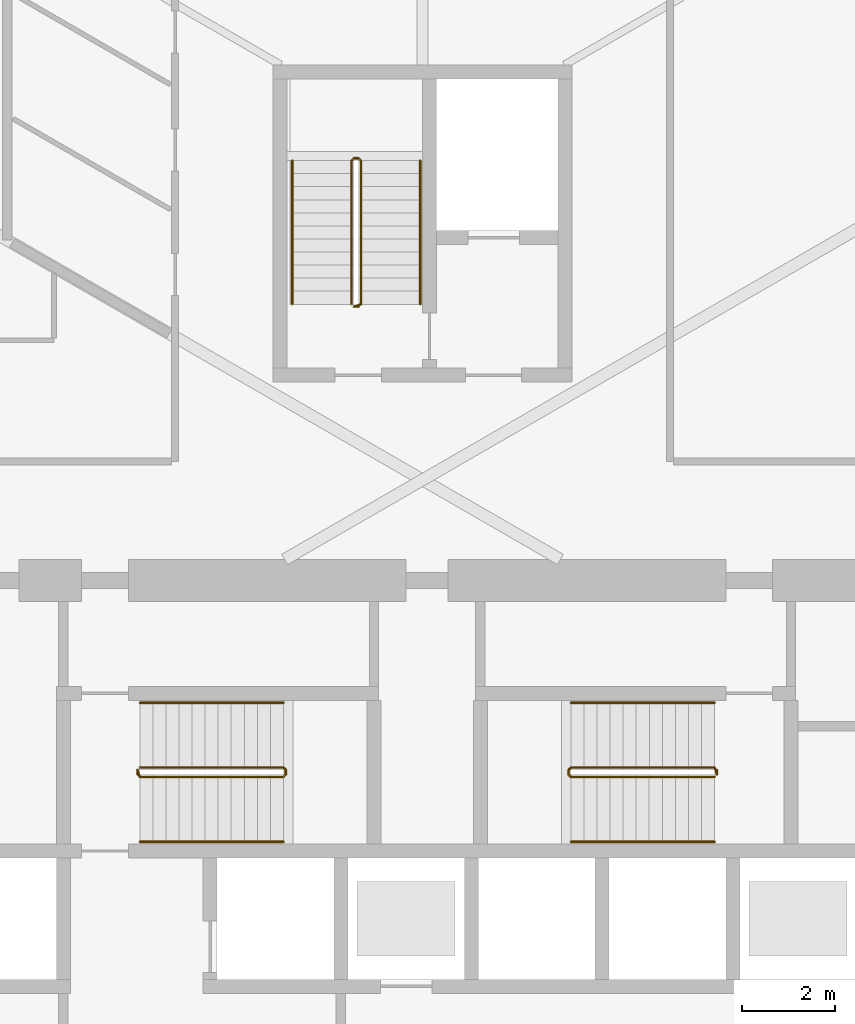
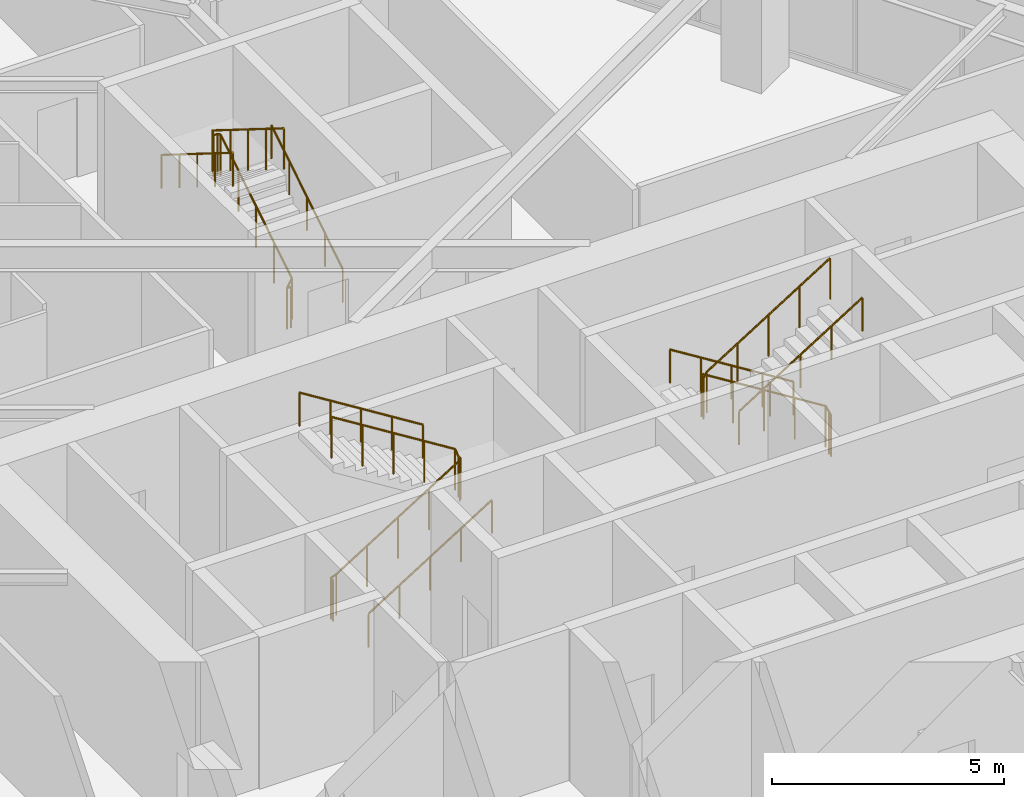
# One storey, part 21 of 22: 9 railings.
"""IFC4 building model written with IfcOpenShell, lengths in metres."""

from ifc_helpers import new_model, si_unit, direction, frame, origin, origin_2d, place, context, subcontext, project, spatial, circle, extrude, material, type_object, element, save


model = new_model("IFC4")

# Units and contexts
model_context = context("Model", 3, precision=1e-05, world=origin(), true_north=direction((0.0, 1.0)))
body_context = subcontext(model_context, "Body", "Model", "MODEL_VIEW")
ifc_project = project(units=[si_unit("LENGTHUNIT", "METRE"), si_unit("AREAUNIT", "SQUARE_METRE"), si_unit("VOLUMEUNIT", "CUBIC_METRE"), si_unit("PLANEANGLEUNIT", "RADIAN"), si_unit("MASSUNIT", "GRAM", prefix="KILO")], contexts=[model_context])

# Site, building, storey
site_placement = place(None, origin())
site = spatial("IfcSite", under=ifc_project, at=site_placement, CompositionType="ELEMENT")
building_placement = place(site_placement, origin())
building = spatial("IfcBuilding", under=site, at=building_placement, Name="Firuza Gate Tower and Library", CompositionType="ELEMENT")
storey_placement = place(building_placement, frame((0.0, 0.0, 128.199951171875)))
storey = spatial("IfcBuildingStorey", under=building, at=storey_placement, Name="L29", CompositionType="ELEMENT", Elevation=128.199951171875)

# Railings
ifc_material_1 = material(Name="Steel S355", Category="steel")
railing_type_1 = type_object("IfcRailingType", Name="Stair guard 1100", PredefinedType="GUARDRAIL", material=ifc_material_1)
railing_1_placement = place(storey_placement, frame((68.889892578125, 79.389892578125, 0.0)))
element("IfcRailing", 1, at=railing_1_placement, inside=storey, type_object=railing_type_1, Name="L29 ST1 stair guard 1", PredefinedType="GUARDRAIL", context=body_context, shape_type="SweptSolid", body=[
    extrude(circle(Radius=0.02392578125, at=origin_2d()), frame((0.0, 0.0, 1.076171875), z_axis=(0.0, 1.0, 0.0), x_axis=(-1.0, 0.0, 0.0)), (0.0, 0.0, 1.0), 0.10009765625),
    extrude(circle(Radius=0.02392578125, at=origin_2d()), frame((0.0, 0.10009765625, 1.076171875), z_axis=(0.21222055169, -0.635626432867, 0.742254319813), x_axis=(0.948528701346, 0.316691178788, 0.0)), (0.0, 0.0, 1.0), 0.23583984375),
    extrude(circle(Radius=0.02392578125, at=origin_2d()), frame((0.050048828125, -0.0498046875, 1.2509765625), z_axis=(0.847998304005, 0.0, 0.529998940003), x_axis=(0.0, 1.0, 0.0)), (0.0, 0.0, 1.0), 3.632080078125),
    extrude(circle(Radius=0.02392578125, at=origin_2d()), frame((3.130126953125, -0.0498046875, 3.17626953125), z_axis=(0.708833529934, 0.705375805398, 0.0), x_axis=(-0.705375805398, 0.708833529934, 0.0)), (0.0, 0.0, 1.0), 0.070556640625),
    extrude(circle(Radius=0.02392578125, at=origin_2d()), frame((3.18017578125, 0.0, 3.17626953125), z_axis=(0.0, 1.0, 0.0), x_axis=(-1.0, 0.0, 0.0)), (0.0, 0.0, 1.0), 0.10009765625),
    extrude(circle(Radius=0.02392578125, at=origin_2d()), frame((3.18017578125, 0.10009765625, 3.17626953125), z_axis=(-0.265065253269, 0.265065253269, 0.927081885822), x_axis=(-0.707106781187, -0.707106781187, 0.0)), (0.0, 0.0, 1.0), 0.188720703125),
    extrude(circle(Radius=0.02392578125, at=origin_2d()), frame((3.130126953125, 0.150146484375, 3.35107421875), z_axis=(-0.848028513186, 0.0, 0.529950602248), x_axis=(0.0, -1.0, 0.0)), (0.0, 0.0, 1.0), 3.632080078125),
    extrude(circle(Radius=0.02099609375, at=origin_2d()), origin(), (0.0, 0.0, 1.0), 1.052001953125),
    extrude(circle(Radius=0.02099609375, at=origin_2d()), frame((0.0, 0.10009765625, 0.0)), (0.0, 0.0, 1.0), 1.052001953125),
    extrude(circle(Radius=0.02099609375, at=origin_2d()), frame((0.050048828125, -0.0498046875, 0.175048828125)), (0.0, 0.0, 1.0), 1.052001953125),
    extrude(circle(Radius=0.02099609375, at=origin_2d()), frame((0.820068359375, -0.0498046875, 0.65625)), (0.0, 0.0, 1.0), 1.052001953125),
    extrude(circle(Radius=0.02099609375, at=origin_2d()), frame((1.590087890625, -0.0498046875, 1.1376953125)), (0.0, 0.0, 1.0), 1.052001953125),
    extrude(circle(Radius=0.02099609375, at=origin_2d()), frame((2.360107421875, -0.0498046875, 1.618896484375)), (0.0, 0.0, 1.0), 1.052001953125),
    extrude(circle(Radius=0.02099609375, at=origin_2d()), frame((3.130126953125, -0.0498046875, 2.10009765625)), (0.0, 0.0, 1.0), 1.052001953125),
    extrude(circle(Radius=0.02099609375, at=origin_2d()), frame((3.18017578125, 0.0, 2.10009765625)), (0.0, 0.0, 1.0), 1.052001953125),
    extrude(circle(Radius=0.02099609375, at=origin_2d()), frame((3.18017578125, 0.10009765625, 2.10009765625)), (0.0, 0.0, 1.0), 1.052001953125),
    extrude(circle(Radius=0.02099609375, at=origin_2d()), frame((3.130126953125, 0.150146484375, 2.275146484375)), (0.0, 0.0, 1.0), 1.052001953125),
    extrude(circle(Radius=0.02099609375, at=origin_2d()), frame((2.360107421875, 0.150146484375, 2.75634765625)), (0.0, 0.0, 1.0), 1.052001953125),
    extrude(circle(Radius=0.02099609375, at=origin_2d()), frame((1.590087890625, 0.150146484375, 3.237548828125)), (0.0, 0.0, 1.0), 1.052001953125),
    extrude(circle(Radius=0.02099609375, at=origin_2d()), frame((0.820068359375, 0.150146484375, 3.71875)), (0.0, 0.0, 1.0), 1.052001953125),
    extrude(circle(Radius=0.02099609375, at=origin_2d()), frame((0.050048828125, 0.150146484375, 4.199951171875)), (0.0, 0.0, 1.0), 1.052001953125),
])
railing_2_placement = place(storey_placement, frame((81.31005859375, 79.489990234375, 0.0)))
element("IfcRailing", 2, at=railing_2_placement, inside=storey, type_object=railing_type_1, Name="L29 ST2 stair guard 1", PredefinedType="GUARDRAIL", context=body_context, shape_type="SweptSolid", body=[
    extrude(circle(Radius=0.02392578125, at=origin_2d()), frame((0.0, 0.0, 1.076171875), z_axis=(0.0, -1.0, 0.0), x_axis=(1.0, 0.0, 0.0)), (0.0, 0.0, 1.0), 0.10009765625),
    extrude(circle(Radius=0.02392578125, at=origin_2d()), frame((0.0, -0.10009765625, 1.076171875), z_axis=(-0.212080931658, 0.636242794973, 0.741765990237), x_axis=(-0.948683298051, -0.316227766017, 0.0)), (0.0, 0.0, 1.0), 0.236083984375),
    extrude(circle(Radius=0.02392578125, at=origin_2d()), frame((-0.050048828125, 0.050048828125, 1.2509765625), z_axis=(-0.847998304005, 0.0, 0.529998940003), x_axis=(0.0, -1.0, 0.0)), (0.0, 0.0, 1.0), 3.632080078125),
    extrude(circle(Radius=0.02392578125, at=origin_2d()), frame((-3.130126953125, 0.050048828125, 3.17626953125), z_axis=(-0.707106781187, -0.707106781187, 0.0), x_axis=(0.707106781187, -0.707106781187, 0.0)), (0.0, 0.0, 1.0), 0.07080078125),
    extrude(circle(Radius=0.02392578125, at=origin_2d()), frame((-3.18017578125, 0.0, 3.17626953125), z_axis=(0.0, -1.0, 0.0), x_axis=(1.0, 0.0, 0.0)), (0.0, 0.0, 1.0), 0.10009765625),
    extrude(circle(Radius=0.02392578125, at=origin_2d()), frame((-3.18017578125, -0.10009765625, 3.17626953125), z_axis=(0.265155923931, -0.263862480399, 0.927399011991), x_axis=(0.705375805398, 0.708833529934, 0.0)), (0.0, 0.0, 1.0), 0.188720703125),
    extrude(circle(Radius=0.02392578125, at=origin_2d()), frame((-3.130126953125, -0.14990234375, 3.35107421875), z_axis=(0.848028513186, 0.0, 0.529950602248), x_axis=(0.0, 1.0, 0.0)), (0.0, 0.0, 1.0), 3.632080078125),
    extrude(circle(Radius=0.02099609375, at=origin_2d()), origin(), (0.0, 0.0, 1.0), 1.052001953125),
    extrude(circle(Radius=0.02099609375, at=origin_2d()), frame((0.0, -0.10009765625, 0.0)), (0.0, 0.0, 1.0), 1.052001953125),
    extrude(circle(Radius=0.02099609375, at=origin_2d()), frame((-0.050048828125, 0.050048828125, 0.175048828125)), (0.0, 0.0, 1.0), 1.052001953125),
    extrude(circle(Radius=0.02099609375, at=origin_2d()), frame((-0.820068359375, 0.050048828125, 0.65625)), (0.0, 0.0, 1.0), 1.052001953125),
    extrude(circle(Radius=0.02099609375, at=origin_2d()), frame((-1.590087890625, 0.050048828125, 1.1376953125)), (0.0, 0.0, 1.0), 1.052001953125),
    extrude(circle(Radius=0.02099609375, at=origin_2d()), frame((-2.360107421875, 0.050048828125, 1.618896484375)), (0.0, 0.0, 1.0), 1.052001953125),
    extrude(circle(Radius=0.02099609375, at=origin_2d()), frame((-3.130126953125, 0.050048828125, 2.10009765625)), (0.0, 0.0, 1.0), 1.052001953125),
    extrude(circle(Radius=0.02099609375, at=origin_2d()), frame((-3.18017578125, 0.0, 2.10009765625)), (0.0, 0.0, 1.0), 1.052001953125),
    extrude(circle(Radius=0.02099609375, at=origin_2d()), frame((-3.18017578125, -0.10009765625, 2.10009765625)), (0.0, 0.0, 1.0), 1.052001953125),
    extrude(circle(Radius=0.02099609375, at=origin_2d()), frame((-3.130126953125, -0.14990234375, 2.275146484375)), (0.0, 0.0, 1.0), 1.052001953125),
    extrude(circle(Radius=0.02099609375, at=origin_2d()), frame((-2.360107421875, -0.14990234375, 2.75634765625)), (0.0, 0.0, 1.0), 1.052001953125),
    extrude(circle(Radius=0.02099609375, at=origin_2d()), frame((-1.590087890625, -0.14990234375, 3.237548828125)), (0.0, 0.0, 1.0), 1.052001953125),
    extrude(circle(Radius=0.02099609375, at=origin_2d()), frame((-0.820068359375, -0.14990234375, 3.71875)), (0.0, 0.0, 1.0), 1.052001953125),
    extrude(circle(Radius=0.02099609375, at=origin_2d()), frame((-0.050048828125, -0.14990234375, 4.199951171875)), (0.0, 0.0, 1.0), 1.052001953125),
])
railing_3_placement = place(storey_placement, frame((73.6298828125, 89.419921875, 0.0)))
element("IfcRailing", 3, at=railing_3_placement, inside=storey, type_object=railing_type_1, Name="L29 ST3 stair guard 1", PredefinedType="GUARDRAIL", context=body_context, shape_type="SweptSolid", body=[
    extrude(circle(Radius=0.02392578125, at=origin_2d()), frame((0.0, 0.0, 1.076171875), z_axis=(-1.0, 0.0, 0.0), x_axis=(0.0, -1.0, 0.0)), (0.0, 0.0, 1.0), 0.099853515625),
    extrude(circle(Radius=0.02392578125, at=origin_2d()), frame((-0.099853515625, 0.0, 1.076171875), z_axis=(0.635626432867, 0.21222055169, 0.742254319813), x_axis=(-0.316691178788, 0.948528701346, 0.0)), (0.0, 0.0, 1.0), 0.23583984375),
    extrude(circle(Radius=0.02392578125, at=origin_2d()), frame((0.050048828125, 0.050048828125, 1.2509765625), z_axis=(0.0, 0.847998304005, 0.529998940003), x_axis=(-1.0, 0.0, 0.0)), (0.0, 0.0, 1.0), 3.632080078125),
    extrude(circle(Radius=0.02392578125, at=origin_2d()), frame((0.050048828125, 3.130126953125, 3.17626953125), z_axis=(-0.707106781187, 0.707106781187, 0.0), x_axis=(-0.707106781187, -0.707106781187, 0.0)), (0.0, 0.0, 1.0), 0.07080078125),
    extrude(circle(Radius=0.02392578125, at=origin_2d()), frame((0.0, 3.18017578125, 3.17626953125), z_axis=(-1.0, 0.0, 0.0), x_axis=(0.0, -1.0, 0.0)), (0.0, 0.0, 1.0), 0.099853515625),
    extrude(circle(Radius=0.02392578125, at=origin_2d()), frame((-0.099853515625, 3.18017578125, 3.17626953125), z_axis=(-0.265065253269, -0.265065253269, 0.927081885822), x_axis=(0.707106781187, -0.707106781187, 0.0)), (0.0, 0.0, 1.0), 0.188720703125),
    extrude(circle(Radius=0.02392578125, at=origin_2d()), frame((-0.14990234375, 3.130126953125, 3.35107421875), z_axis=(0.0, -0.848028513186, 0.529950602248), x_axis=(1.0, 0.0, 0.0)), (0.0, 0.0, 1.0), 3.632080078125),
    extrude(circle(Radius=0.02099609375, at=origin_2d()), origin(), (0.0, 0.0, 1.0), 1.052001953125),
    extrude(circle(Radius=0.02099609375, at=origin_2d()), frame((-0.099853515625, 0.0, 0.0)), (0.0, 0.0, 1.0), 1.052001953125),
    extrude(circle(Radius=0.02099609375, at=origin_2d()), frame((0.050048828125, 0.050048828125, 0.175048828125)), (0.0, 0.0, 1.0), 1.052001953125),
    extrude(circle(Radius=0.02099609375, at=origin_2d()), frame((0.050048828125, 0.820068359375, 0.65625)), (0.0, 0.0, 1.0), 1.052001953125),
    extrude(circle(Radius=0.02099609375, at=origin_2d()), frame((0.050048828125, 1.590087890625, 1.1376953125)), (0.0, 0.0, 1.0), 1.052001953125),
    extrude(circle(Radius=0.02099609375, at=origin_2d()), frame((0.050048828125, 2.360107421875, 1.618896484375)), (0.0, 0.0, 1.0), 1.052001953125),
    extrude(circle(Radius=0.02099609375, at=origin_2d()), frame((0.050048828125, 3.130126953125, 2.10009765625)), (0.0, 0.0, 1.0), 1.052001953125),
    extrude(circle(Radius=0.02099609375, at=origin_2d()), frame((0.0, 3.18017578125, 2.10009765625)), (0.0, 0.0, 1.0), 1.052001953125),
    extrude(circle(Radius=0.02099609375, at=origin_2d()), frame((-0.099853515625, 3.18017578125, 2.10009765625)), (0.0, 0.0, 1.0), 1.052001953125),
    extrude(circle(Radius=0.02099609375, at=origin_2d()), frame((-0.14990234375, 3.130126953125, 2.275146484375)), (0.0, 0.0, 1.0), 1.052001953125),
    extrude(circle(Radius=0.02099609375, at=origin_2d()), frame((-0.14990234375, 2.360107421875, 2.75634765625)), (0.0, 0.0, 1.0), 1.052001953125),
    extrude(circle(Radius=0.02099609375, at=origin_2d()), frame((-0.14990234375, 1.590087890625, 3.237548828125)), (0.0, 0.0, 1.0), 1.052001953125),
    extrude(circle(Radius=0.02099609375, at=origin_2d()), frame((-0.14990234375, 0.820068359375, 3.71875)), (0.0, 0.0, 1.0), 1.052001953125),
    extrude(circle(Radius=0.02099609375, at=origin_2d()), frame((-0.14990234375, 0.050048828125, 4.199951171875)), (0.0, 0.0, 1.0), 1.052001953125),
])
ifc_material_2 = material(Name="Steel S355", Category="steel")
railing_type_2 = type_object("IfcRailingType", Name="Stair handrail 900", PredefinedType="HANDRAIL", material=ifc_material_2)
railing_4_placement = place(storey_placement, frame((68.93994140625, 77.949951171875, 0.175048828125)))
element("IfcRailing", 4, at=railing_4_placement, inside=storey, type_object=railing_type_2, Name="L29 ST1 stair handrail 1", PredefinedType="HANDRAIL", context=body_context, shape_type="SweptSolid", body=[
    extrude(circle(Radius=0.02392578125, at=origin_2d()), frame((0.0, 0.0, 0.8759765625), z_axis=(0.847998304005, 0.0, 0.529998940003), x_axis=(0.0, 1.0, 0.0)), (0.0, 0.0, 1.0), 3.632080078125),
    extrude(circle(Radius=0.02099609375, at=origin_2d()), origin(), (0.0, 0.0, 1.0), 0.851806640625),
    extrude(circle(Radius=0.02099609375, at=origin_2d()), frame((0.77001953125, 0.0, 0.481201171875)), (0.0, 0.0, 1.0), 0.851806640625),
    extrude(circle(Radius=0.02099609375, at=origin_2d()), frame((1.5400390625, 0.0, 0.96240234375)), (0.0, 0.0, 1.0), 0.851806640625),
    extrude(circle(Radius=0.02099609375, at=origin_2d()), frame((2.31005859375, 0.0, 1.44384765625)), (0.0, 0.0, 1.0), 0.851806640625),
    extrude(circle(Radius=0.02099609375, at=origin_2d()), frame((3.080078125, 0.0, 1.925048828125)), (0.0, 0.0, 1.0), 0.851806640625),
])
railing_5_placement = place(storey_placement, frame((72.02001953125, 80.929931640625, 2.275146484375)))
element("IfcRailing", 5, at=railing_5_placement, inside=storey, type_object=railing_type_2, Name="L29 ST1 stair handrail 2", PredefinedType="HANDRAIL", context=body_context, shape_type="SweptSolid", body=[
    extrude(circle(Radius=0.02392578125, at=origin_2d()), frame((0.0, 0.0, 0.8759765625), z_axis=(-0.848028513186, 0.0, 0.529950602248), x_axis=(0.0, -1.0, 0.0)), (0.0, 0.0, 1.0), 3.632080078125),
    extrude(circle(Radius=0.02099609375, at=origin_2d()), origin(), (0.0, 0.0, 1.0), 0.851806640625),
    extrude(circle(Radius=0.02099609375, at=origin_2d()), frame((-0.77001953125, 0.0, 0.481201171875)), (0.0, 0.0, 1.0), 0.851806640625),
    extrude(circle(Radius=0.02099609375, at=origin_2d()), frame((-1.5400390625, 0.0, 0.96240234375)), (0.0, 0.0, 1.0), 0.851806640625),
    extrude(circle(Radius=0.02099609375, at=origin_2d()), frame((-2.31005859375, 0.0, 1.443603515625)), (0.0, 0.0, 1.0), 0.851806640625),
    extrude(circle(Radius=0.02099609375, at=origin_2d()), frame((-3.080078125, 0.0, 1.9248046875)), (0.0, 0.0, 1.0), 0.851806640625),
])
railing_6_placement = place(storey_placement, frame((81.260009765625, 80.929931640625, 0.175048828125)))
element("IfcRailing", 6, at=railing_6_placement, inside=storey, type_object=railing_type_2, Name="L29 ST2 stair handrail 1", PredefinedType="HANDRAIL", context=body_context, shape_type="SweptSolid", body=[
    extrude(circle(Radius=0.02392578125, at=origin_2d()), frame((0.0, 0.0, 0.8759765625), z_axis=(-0.847998304005, 0.0, 0.529998940003), x_axis=(0.0, -1.0, 0.0)), (0.0, 0.0, 1.0), 3.632080078125),
    extrude(circle(Radius=0.02099609375, at=origin_2d()), origin(), (0.0, 0.0, 1.0), 0.851806640625),
    extrude(circle(Radius=0.02099609375, at=origin_2d()), frame((-0.77001953125, 0.0, 0.481201171875)), (0.0, 0.0, 1.0), 0.851806640625),
    extrude(circle(Radius=0.02099609375, at=origin_2d()), frame((-1.5400390625, 0.0, 0.96240234375)), (0.0, 0.0, 1.0), 0.851806640625),
    extrude(circle(Radius=0.02099609375, at=origin_2d()), frame((-2.31005859375, 0.0, 1.44384765625)), (0.0, 0.0, 1.0), 0.851806640625),
    extrude(circle(Radius=0.02099609375, at=origin_2d()), frame((-3.080078125, 0.0, 1.925048828125)), (0.0, 0.0, 1.0), 0.851806640625),
])
railing_7_placement = place(storey_placement, frame((78.179931640625, 77.949951171875, 2.275146484375)))
element("IfcRailing", 7, at=railing_7_placement, inside=storey, type_object=railing_type_2, Name="L29 ST2 stair handrail 2", PredefinedType="HANDRAIL", context=body_context, shape_type="SweptSolid", body=[
    extrude(circle(Radius=0.02392578125, at=origin_2d()), frame((0.0, 0.0, 0.8759765625), z_axis=(0.848028513186, 0.0, 0.529950602248), x_axis=(0.0, 1.0, 0.0)), (0.0, 0.0, 1.0), 3.632080078125),
    extrude(circle(Radius=0.02099609375, at=origin_2d()), origin(), (0.0, 0.0, 1.0), 0.851806640625),
    extrude(circle(Radius=0.02099609375, at=origin_2d()), frame((0.77001953125, 0.0, 0.481201171875)), (0.0, 0.0, 1.0), 0.851806640625),
    extrude(circle(Radius=0.02099609375, at=origin_2d()), frame((1.5400390625, 0.0, 0.96240234375)), (0.0, 0.0, 1.0), 0.851806640625),
    extrude(circle(Radius=0.02099609375, at=origin_2d()), frame((2.31005859375, 0.0, 1.443603515625)), (0.0, 0.0, 1.0), 0.851806640625),
    extrude(circle(Radius=0.02099609375, at=origin_2d()), frame((3.080078125, 0.0, 1.9248046875)), (0.0, 0.0, 1.0), 0.851806640625),
])
railing_8_placement = place(storey_placement, frame((74.949951171875, 89.469970703125, 0.175048828125)))
element("IfcRailing", 8, at=railing_8_placement, inside=storey, type_object=railing_type_2, Name="L29 ST3 stair handrail 1", PredefinedType="HANDRAIL", context=body_context, shape_type="SweptSolid", body=[
    extrude(circle(Radius=0.02392578125, at=origin_2d()), frame((0.0, 0.0, 0.8759765625), z_axis=(0.0, 0.847998304005, 0.529998940003), x_axis=(-1.0, 0.0, 0.0)), (0.0, 0.0, 1.0), 3.632080078125),
    extrude(circle(Radius=0.02099609375, at=origin_2d()), origin(), (0.0, 0.0, 1.0), 0.851806640625),
    extrude(circle(Radius=0.02099609375, at=origin_2d()), frame((0.0, 0.77001953125, 0.481201171875)), (0.0, 0.0, 1.0), 0.851806640625),
    extrude(circle(Radius=0.02099609375, at=origin_2d()), frame((0.0, 1.5400390625, 0.96240234375)), (0.0, 0.0, 1.0), 0.851806640625),
    extrude(circle(Radius=0.02099609375, at=origin_2d()), frame((0.0, 2.31005859375, 1.44384765625)), (0.0, 0.0, 1.0), 0.851806640625),
    extrude(circle(Radius=0.02099609375, at=origin_2d()), frame((0.0, 3.080078125, 1.925048828125)), (0.0, 0.0, 1.0), 0.851806640625),
])
railing_9_placement = place(storey_placement, frame((72.2099609375, 92.550048828125, 2.275146484375)))
element("IfcRailing", 9, at=railing_9_placement, inside=storey, type_object=railing_type_2, Name="L29 ST3 stair handrail 2", PredefinedType="HANDRAIL", context=body_context, shape_type="SweptSolid", body=[
    extrude(circle(Radius=0.02392578125, at=origin_2d()), frame((0.0, 0.0, 0.8759765625), z_axis=(0.0, -0.848028513186, 0.529950602248), x_axis=(1.0, 0.0, 0.0)), (0.0, 0.0, 1.0), 3.632080078125),
    extrude(circle(Radius=0.02099609375, at=origin_2d()), origin(), (0.0, 0.0, 1.0), 0.851806640625),
    extrude(circle(Radius=0.02099609375, at=origin_2d()), frame((0.0, -0.77001953125, 0.481201171875)), (0.0, 0.0, 1.0), 0.851806640625),
    extrude(circle(Radius=0.02099609375, at=origin_2d()), frame((0.0, -1.5400390625, 0.96240234375)), (0.0, 0.0, 1.0), 0.851806640625),
    extrude(circle(Radius=0.02099609375, at=origin_2d()), frame((0.0, -2.31005859375, 1.443603515625)), (0.0, 0.0, 1.0), 0.851806640625),
    extrude(circle(Radius=0.02099609375, at=origin_2d()), frame((0.0, -3.080078125, 1.9248046875)), (0.0, 0.0, 1.0), 0.851806640625),
])

save(model, "model.ifc")
